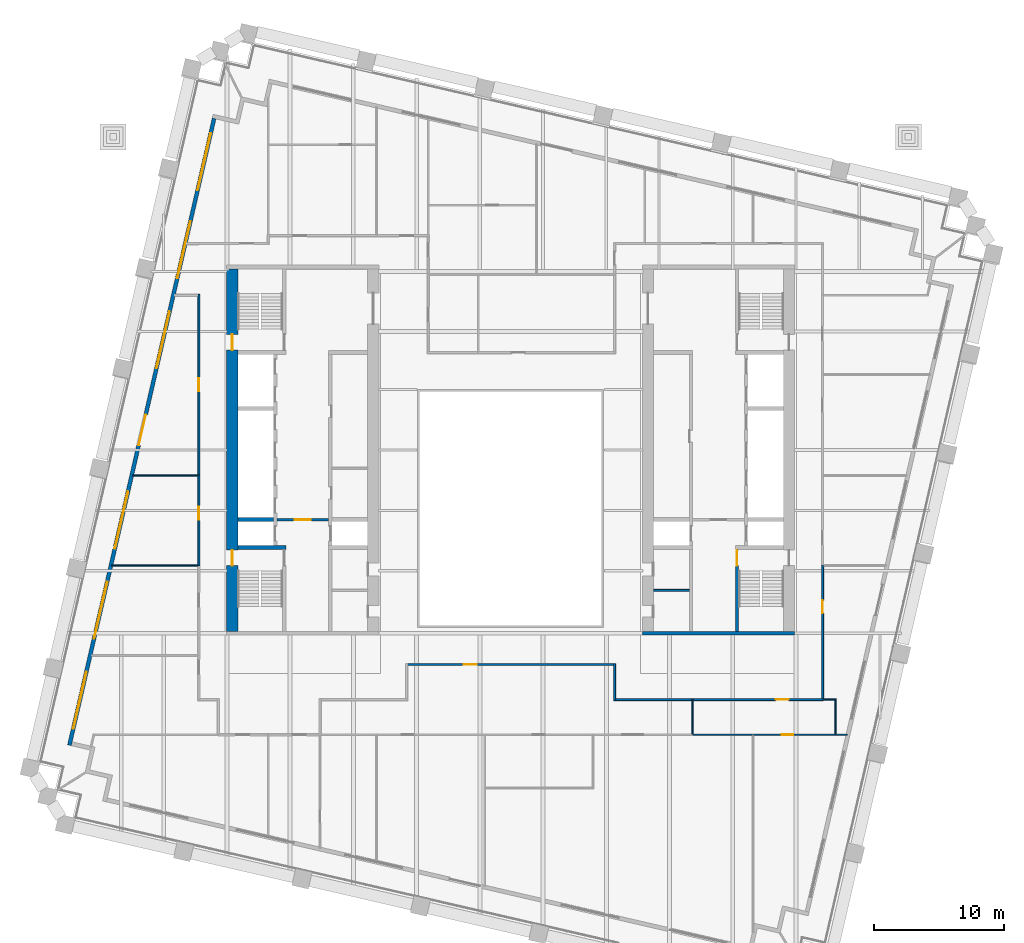
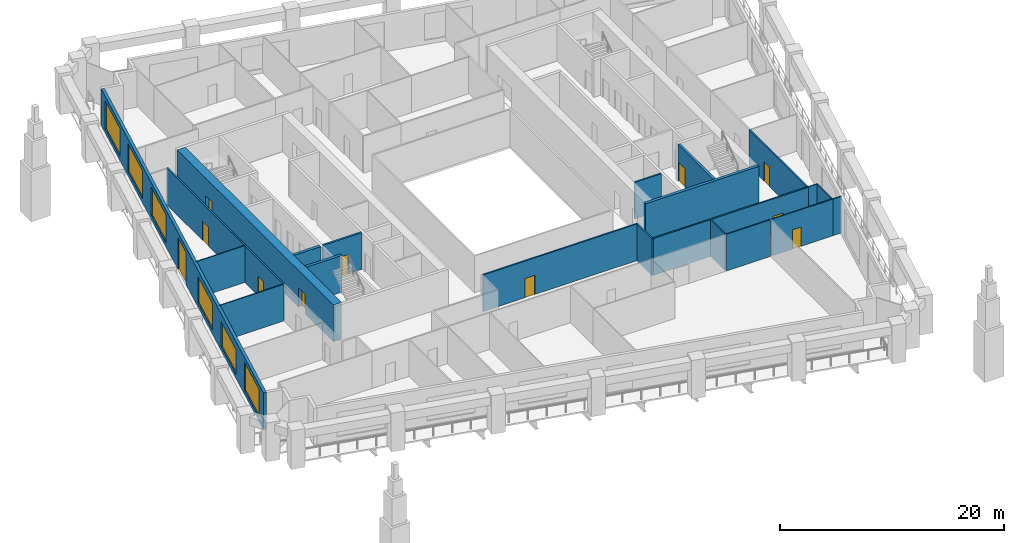
# One storey, part 5 of 10: 23 walls, 11 doors, 6 windows, 17 openings.
"""IFC4 building model written with IfcOpenShell, lengths in metres."""

from ifc_helpers import new_model, si_unit, direction, frame, frame_2d, origin, place, context, subcontext, project, spatial, rectangle, extrude, material, layer, layer_set, type_object, element, fill, save


model = new_model("IFC4")

# Units and contexts
model_context = context("Model", 3, precision=1e-05, world=origin(), true_north=direction((0.0, 1.0)))
body_context = subcontext(model_context, "Body", "Model", "MODEL_VIEW")
ifc_project = project(units=[si_unit("LENGTHUNIT", "METRE"), si_unit("AREAUNIT", "SQUARE_METRE"), si_unit("VOLUMEUNIT", "CUBIC_METRE"), si_unit("PLANEANGLEUNIT", "RADIAN"), si_unit("MASSUNIT", "GRAM", prefix="KILO")], contexts=[model_context])

# Site, building, storey
site_placement = place(None, origin())
site = spatial("IfcSite", under=ifc_project, at=site_placement, CompositionType="ELEMENT")
building_placement = place(site_placement, origin())
building = spatial("IfcBuilding", under=site, at=building_placement, Name="Ogive Exchange Tower", CompositionType="ELEMENT")
storey_placement = place(building_placement, frame((0.0, 0.0, 105.60009765625)))
storey = spatial("IfcBuildingStorey", under=building, at=storey_placement, Name="L22", CompositionType="ELEMENT", Elevation=105.60009765625)

# Wall
ifc_material_1 = material(Name="Gypsum board partition")
ifc_layer_1 = layer(ifc_material_1, 0.14990234375)
ifc_layer_set_1 = layer_set([ifc_layer_1], Name="Core room partition 150 gypsum")
wall_type_1 = type_object("IfcWallType", Name="Core room partition 150 gypsum", PredefinedType="PARTITIONING", material=ifc_layer_set_1)
wall_1_placement = place(storey_placement, frame((11.0, 0.699951171875, 0.0), z_axis=(0.0, 0.0, 1.0), x_axis=(1.0, 0.0, 0.0)))
element("IfcWall", 1, at=wall_1_placement, inside=storey, type_object=wall_type_1, Name="E south room partition", PredefinedType="PARTITIONING", context=body_context, shape_type="SweptSolid", body=[
    extrude(rectangle(XDim=2.75, YDim=0.14990234375, at=frame_2d((1.375, 0.0))), origin(), (0.0, 0.0, 1.0), 4.0),
])

# Wall, opening, door
ifc_material_2 = material(Name="Fire partition EI 60 150")
ifc_layer_2 = layer(ifc_material_2, 0.14990234375)
ifc_layer_set_2 = layer_set([ifc_layer_2], Name="Fire partition EI 60 150")
wall_type_2 = type_object("IfcWallType", Name="Fire partition EI 60 150", PredefinedType="PARTITIONING", material=ifc_layer_set_2)
wall_2_placement = place(storey_placement, frame((-24.0, 2.610107421875, 0.0), z_axis=(0.0, 0.0, 1.0), x_axis=(0.0, 1.0, 0.0)))
wall_2 = element("IfcWall", 2, at=wall_2_placement, inside=storey, type_object=wall_type_2, Name="L22-PWL-007", PredefinedType="PARTITIONING", context=body_context, shape_type="SweptSolid", body=[
    extrude(rectangle(XDim=6.989990234375, YDim=0.14990234375, at=frame_2d((3.4951171875, 0.0))), origin(), (0.0, 0.0, 1.0), 4.0),
])
opening_1_placement = place(wall_2_placement, frame((3.5400390625, 0.0, 0.0)))
opening_1 = element("IfcOpeningElement", 3, at=opening_1_placement, cuts=wall_2, Name="Opening L22-I19", PredefinedType="OPENING", context=body_context, shape_type="SweptSolid", body=[
    extrude(rectangle(XDim=1.0, YDim=2.10009765625, at=frame_2d((0.5, 1.050048828125))), frame((0.0, 0.0849609375, 0.0), z_axis=(0.0, -1.0, 0.0), x_axis=(1.0, 0.0, 0.0)), (0.0, 0.0, 1.0), 0.169921875),
])
ifc_material_3 = material(Name="Fire door FD 30S 1000 x 2100")
door_type_1 = type_object("IfcDoorType", Name="Fire door FD 30S 1000 x 2100", OperationType="NOTDEFINED", PredefinedType="DOOR", material=ifc_material_3)
door_1_placement = place(opening_1_placement, origin())
door_1 = element("IfcDoor", 4, at=door_1_placement, inside=storey, type_object=door_type_1, Name="L22-IDR-019", ObjectType="DT3", OperationType="SINGLE_SWING_LEFT", OverallHeight=2.10009765625, OverallWidth=1.0, PredefinedType="DOOR", context=body_context, shape_type="SweptSolid", body=[
    extrude(rectangle(XDim=1.0, YDim=2.10009765625, at=frame_2d((0.5, 1.050048828125))), frame((0.0, 0.02490234375, 0.0), z_axis=(0.0, -1.0, 0.0), x_axis=(1.0, 0.0, 0.0)), (0.0, 0.0, 1.0), 0.050048828125),
])
fill(opening_1, door_1)

wall_3_placement = place(storey_placement, frame((-24.0, 9.550048828125, 0.0), z_axis=(0.0, 0.0, 1.0), x_axis=(0.0, 1.0, 0.0)))
wall_3 = element("IfcWall", 5, at=wall_3_placement, inside=storey, type_object=wall_type_2, Name="L22-PWL-009", PredefinedType="PARTITIONING", context=body_context, shape_type="SweptSolid", body=[
    extrude(rectangle(XDim=13.93505859375, YDim=0.14990234375, at=frame_2d((6.967529296875, 0.0))), origin(), (0.0, 0.0, 1.0), 4.0),
])
opening_2_placement = place(wall_3_placement, frame((6.4599609375, 0.0, 0.0)))
opening_2 = element("IfcOpeningElement", 6, at=opening_2_placement, cuts=wall_3, Name="Opening L22-I10", PredefinedType="OPENING", context=body_context, shape_type="SweptSolid", body=[
    extrude(rectangle(XDim=1.0, YDim=2.10009765625, at=frame_2d((0.5, 1.050048828125))), frame((0.0, 0.0849609375, 0.0), z_axis=(0.0, -1.0, 0.0), x_axis=(1.0, 0.0, 0.0)), (0.0, 0.0, 1.0), 0.169921875),
])
door_2_placement = place(opening_2_placement, origin())
door_2 = element("IfcDoor", 7, at=door_2_placement, inside=storey, type_object=door_type_1, Name="L22-IDR-010", ObjectType="DT3", OperationType="SINGLE_SWING_LEFT", OverallHeight=2.10009765625, OverallWidth=1.0, PredefinedType="DOOR", context=body_context, shape_type="SweptSolid", body=[
    extrude(rectangle(XDim=1.0, YDim=2.10009765625, at=frame_2d((0.5, 1.050048828125))), frame((0.0, 0.02490234375, 0.0), z_axis=(0.0, -1.0, 0.0), x_axis=(1.0, 0.0, 0.0)), (0.0, 0.0, 1.0), 0.050048828125),
])
fill(opening_2, door_2)

# Wall
wall_4_placement = place(storey_placement, frame((8.0, -7.77490234375, 0.0), z_axis=(0.0, 0.0, 1.0), x_axis=(0.0, 1.0, 0.0)))
element("IfcWall", 8, at=wall_4_placement, inside=storey, type_object=wall_type_2, Name="L22-PWL-051", PredefinedType="PARTITIONING", context=body_context, shape_type="SweptSolid", body=[
    extrude(rectangle(XDim=2.849853515625, YDim=0.14990234375, at=frame_2d((1.4248046875, 0.0))), origin(), (0.0, 0.0, 1.0), 4.0),
])

# Wall, opening, door
wall_5_placement = place(storey_placement, frame((7.925048828125, -5.0, 0.0), z_axis=(0.0, 0.0, 1.0), x_axis=(-1.0, 0.0, 0.0)))
wall_5 = element("IfcWall", 9, at=wall_5_placement, inside=storey, type_object=wall_type_2, Name="L22-PWL-052", PredefinedType="PARTITIONING", context=body_context, shape_type="SweptSolid", body=[
    extrude(rectangle(XDim=15.85009765625, YDim=0.14990234375, at=frame_2d((7.925048828125, 0.0))), origin(), (0.0, 0.0, 1.0), 4.0),
])
opening_3_placement = place(wall_5_placement, frame((10.52490234375, 0.0, 0.0)))
opening_3 = element("IfcOpeningElement", 10, at=opening_3_placement, cuts=wall_5, Name="Opening L22-I18", PredefinedType="OPENING", context=body_context, shape_type="SweptSolid", body=[
    extrude(rectangle(XDim=1.0, YDim=2.10009765625, at=frame_2d((0.5, 1.050048828125))), frame((0.0, 0.0849609375, 0.0), z_axis=(0.0, -1.0, 0.0), x_axis=(1.0, 0.0, 0.0)), (0.0, 0.0, 1.0), 0.169921875),
])
door_3_placement = place(opening_3_placement, origin())
door_3 = element("IfcDoor", 11, at=door_3_placement, inside=storey, type_object=door_type_1, Name="L22-IDR-018", ObjectType="DT3", OperationType="SINGLE_SWING_LEFT", OverallHeight=2.10009765625, OverallWidth=1.0, PredefinedType="DOOR", context=body_context, shape_type="SweptSolid", body=[
    extrude(rectangle(XDim=1.0, YDim=2.10009765625, at=frame_2d((0.5, 1.050048828125))), frame((0.0, 0.02490234375, 0.0), z_axis=(0.0, -1.0, 0.0), x_axis=(1.0, 0.0, 0.0)), (0.0, 0.0, 1.0), 0.050048828125),
])
fill(opening_3, door_3)

# Wall
wall_6_placement = place(storey_placement, frame((13.949951171875, -7.699951171875, 0.0), z_axis=(0.0, 0.0, 1.0), x_axis=(-1.0, 0.0, 0.0)))
element("IfcWall", 12, at=wall_6_placement, inside=storey, type_object=wall_type_2, Name="L22-PWL-060", PredefinedType="PARTITIONING", context=body_context, shape_type="SweptSolid", body=[
    extrude(rectangle(XDim=5.875, YDim=0.14990234375, at=frame_2d((2.9375, 0.0))), origin(), (0.0, 0.0, 1.0), 4.0),
])

# Wall, opening, door
wall_7_placement = place(storey_placement, frame((24.074951171875, -7.699951171875, 0.0), z_axis=(0.0, 0.0, 1.0), x_axis=(-1.0, 0.0, 0.0)))
wall_7 = element("IfcWall", 13, at=wall_7_placement, inside=storey, type_object=wall_type_2, Name="L22-PWL-065", PredefinedType="PARTITIONING", context=body_context, shape_type="SweptSolid", body=[
    extrude(rectangle(XDim=10.02490234375, YDim=0.14990234375, at=frame_2d((5.012451171875, 0.0))), origin(), (0.0, 0.0, 1.0), 4.0),
])
opening_4_placement = place(wall_7_placement, frame((2.675048828125, 0.0, 0.0)))
opening_4 = element("IfcOpeningElement", 14, at=opening_4_placement, cuts=wall_7, Name="Opening L22-I17", PredefinedType="OPENING", context=body_context, shape_type="SweptSolid", body=[
    extrude(rectangle(XDim=1.0, YDim=2.10009765625, at=frame_2d((0.5, 1.050048828125))), frame((0.0, 0.0849609375, 0.0), z_axis=(0.0, -1.0, 0.0), x_axis=(1.0, 0.0, 0.0)), (0.0, 0.0, 1.0), 0.169921875),
])
door_4_placement = place(opening_4_placement, origin())
door_4 = element("IfcDoor", 15, at=door_4_placement, inside=storey, type_object=door_type_1, Name="L22-IDR-017", ObjectType="DT3", OperationType="SINGLE_SWING_RIGHT", OverallHeight=2.10009765625, OverallWidth=1.0, PredefinedType="DOOR", context=body_context, shape_type="SweptSolid", body=[
    extrude(rectangle(XDim=1.0, YDim=2.10009765625, at=frame_2d((0.5, 1.050048828125))), frame((0.0, 0.02490234375, 0.0), z_axis=(0.0, -1.0, 0.0), x_axis=(1.0, 0.0, 0.0)), (0.0, 0.0, 1.0), 0.050048828125),
])
fill(opening_4, door_4)

wall_8_placement = place(storey_placement, frame((24.010009765625, 2.659912109375, 0.0), z_axis=(0.0, 0.0, 1.0), x_axis=(0.0, -1.0, 0.0)))
wall_8 = element("IfcWall", 16, at=wall_8_placement, inside=storey, type_object=wall_type_2, Name="L22-PWL-072", PredefinedType="PARTITIONING", context=body_context, shape_type="SweptSolid", body=[
    extrude(rectangle(XDim=10.27490234375, YDim=0.14990234375, at=frame_2d((5.137451171875, 0.0))), origin(), (0.0, 0.0, 1.0), 4.0),
])
opening_5_placement = place(wall_8_placement, frame((2.699951171875, 0.0, 0.0)))
opening_5 = element("IfcOpeningElement", 17, at=opening_5_placement, cuts=wall_8, Name="Opening L22-I16", PredefinedType="OPENING", context=body_context, shape_type="SweptSolid", body=[
    extrude(rectangle(XDim=1.0, YDim=2.10009765625, at=frame_2d((0.5, 1.050048828125))), frame((0.0, 0.0849609375, 0.0), z_axis=(0.0, -1.0, 0.0), x_axis=(1.0, 0.0, 0.0)), (0.0, 0.0, 1.0), 0.169921875),
])
door_5_placement = place(opening_5_placement, origin())
door_5 = element("IfcDoor", 18, at=door_5_placement, inside=storey, type_object=door_type_1, Name="L22-IDR-016", ObjectType="DT3", OperationType="SINGLE_SWING_RIGHT", OverallHeight=2.10009765625, OverallWidth=1.0, PredefinedType="DOOR", context=body_context, shape_type="SweptSolid", body=[
    extrude(rectangle(XDim=1.0, YDim=2.10009765625, at=frame_2d((0.5, 1.050048828125))), frame((0.0, 0.02490234375, 0.0), z_axis=(0.0, -1.0, 0.0), x_axis=(1.0, 0.0, 0.0)), (0.0, 0.0, 1.0), 0.050048828125),
])
fill(opening_5, door_5)

# Wall, openings, door, windows
ifc_material_4 = material(Name="Precast concrete C40/50", Category="concrete")
ifc_layer_3 = layer(ifc_material_4, 0.300048828125)
ifc_layer_set_3 = layer_set([ifc_layer_3], Name="Limestone-faced wall 300")
wall_type_3 = type_object("IfcWallType", Name="Limestone-faced wall 300", PredefinedType="STANDARD", material=ifc_layer_set_3)
wall_9_placement = place(storey_placement, frame((-22.8203125, 37.015625, 0.0), z_axis=(0.0, 0.0, 1.0), x_axis=(-0.224953880882, -0.974369412223, 0.0)))
wall_9 = element("IfcWall", 19, at=wall_9_placement, inside=storey, type_object=wall_type_3, Name="External wall W4", PredefinedType="STANDARD", context=body_context, shape_type="SweptSolid", body=[
    extrude(rectangle(XDim=49.500244140625, YDim=0.300048828125, at=frame_2d((24.75, 0.0))), origin(), (0.0, 0.0, 1.0), 4.0),
])
opening_6_placement = place(wall_9_placement, frame((1.156982421875, 0.0, 0.449951171875)))
opening_6 = element("IfcOpeningElement", 20, at=opening_6_placement, cuts=wall_9, Name="Opening W1", PredefinedType="OPENING", context=body_context, shape_type="SweptSolid", body=[
    extrude(rectangle(XDim=4.5, YDim=3.050048828125, at=frame_2d((2.25, 1.52490234375))), frame((0.0, 0.159912109375, 0.0), z_axis=(0.0, -1.0, 0.0), x_axis=(1.0, 0.0, 0.0)), (0.0, 0.0, 1.0), 0.320068359375),
])
opening_7_placement = place(wall_9_placement, frame((8.121337890625, 0.0, 0.449951171875)))
opening_7 = element("IfcOpeningElement", 21, at=opening_7_placement, cuts=wall_9, Name="Opening W1", PredefinedType="OPENING", context=body_context, shape_type="SweptSolid", body=[
    extrude(rectangle(XDim=4.5, YDim=3.050048828125, at=frame_2d((2.25, 1.52490234375))), frame((0.0, 0.159912109375, 0.0), z_axis=(0.0, -1.0, 0.0), x_axis=(1.0, 0.0, 0.0)), (0.0, 0.0, 1.0), 0.320068359375),
])
opening_8_placement = place(wall_9_placement, frame((15.235595703125, 0.0, 0.449951171875)))
opening_8 = element("IfcOpeningElement", 22, at=opening_8_placement, cuts=wall_9, Name="Opening W1", PredefinedType="OPENING", context=body_context, shape_type="SweptSolid", body=[
    extrude(rectangle(XDim=4.5, YDim=3.050048828125, at=frame_2d((2.25, 1.52490234375))), frame((0.0, 0.159912109375, 0.0), z_axis=(0.0, -1.0, 0.0), x_axis=(1.0, 0.0, 0.0)), (0.0, 0.0, 1.0), 0.320068359375),
])
opening_9_placement = place(wall_9_placement, frame((23.39990234375, 0.0, 0.0)))
opening_9 = element("IfcOpeningElement", 23, at=opening_9_placement, cuts=wall_9, Name="Opening D1", PredefinedType="OPENING", context=body_context, shape_type="SweptSolid", body=[
    extrude(rectangle(XDim=2.39990234375, YDim=3.5, at=frame_2d((1.199951171875, 1.75))), frame((0.0, 0.159912109375, 0.0), z_axis=(0.0, -1.0, 0.0), x_axis=(1.0, 0.0, 0.0)), (0.0, 0.0, 1.0), 0.320068359375),
])
opening_10_placement = place(wall_9_placement, frame((29.464111328125, 0.0, 0.449951171875)))
opening_10 = element("IfcOpeningElement", 24, at=opening_10_placement, cuts=wall_9, Name="Opening W1D", PredefinedType="OPENING", context=body_context, shape_type="SweptSolid", body=[
    extrude(rectangle(XDim=4.5, YDim=2.875, at=frame_2d((2.25, 1.4375))), frame((0.0, 0.159912109375, 0.0), z_axis=(0.0, -1.0, 0.0), x_axis=(1.0, 0.0, 0.0)), (0.0, 0.0, 1.0), 0.320068359375),
])
opening_11_placement = place(wall_9_placement, frame((36.57861328125, 0.0, 0.449951171875)))
opening_11 = element("IfcOpeningElement", 25, at=opening_11_placement, cuts=wall_9, Name="Opening W1J", PredefinedType="OPENING", context=body_context, shape_type="SweptSolid", body=[
    extrude(rectangle(XDim=4.5, YDim=2.675048828125, at=frame_2d((2.25, 1.33740234375))), frame((0.0, 0.159912109375, 0.0), z_axis=(0.0, -1.0, 0.0), x_axis=(1.0, 0.0, 0.0)), (0.0, 0.0, 1.0), 0.320068359375),
])
opening_12_placement = place(wall_9_placement, frame((43.69287109375, 0.0, 0.449951171875)))
opening_12 = element("IfcOpeningElement", 26, at=opening_12_placement, cuts=wall_9, Name="Opening W1", PredefinedType="OPENING", context=body_context, shape_type="SweptSolid", body=[
    extrude(rectangle(XDim=4.5, YDim=3.050048828125, at=frame_2d((2.25, 1.52490234375))), frame((0.0, 0.159912109375, 0.0), z_axis=(0.0, -1.0, 0.0), x_axis=(1.0, 0.0, 0.0)), (0.0, 0.0, 1.0), 0.320068359375),
])
ifc_material_5 = material(Name="Clear glass in bronze frame", Category="glass")
door_type_2 = type_object("IfcDoorType", Name="Sliding loggia door 2400 x 3500", OperationType="DOUBLE_DOOR_SLIDING", PredefinedType="DOOR", material=ifc_material_5)
door_6_placement = place(opening_9_placement, origin())
door_6 = element("IfcDoor", 27, at=door_6_placement, inside=storey, type_object=door_type_2, Name="Loggia door W03", OperationType="DOUBLE_DOOR_SLIDING", OverallHeight=3.5, OverallWidth=2.39990234375, PredefinedType="DOOR", context=body_context, shape_type="SweptSolid", body=[
    extrude(rectangle(XDim=2.39990234375, YDim=3.5, at=frame_2d((1.199951171875, 1.75))), frame((0.0, 0.02490234375, 0.0), z_axis=(0.0, -1.0, 0.0), x_axis=(1.0, 0.0, 0.0)), (0.0, 0.0, 1.0), 0.050048828125),
])
fill(opening_9, door_6)
window_type_1 = type_object("IfcWindowType", Name="Twin lancet window 4500 x 2675", PartitioningType="DOUBLE_PANEL_VERTICAL", PredefinedType="WINDOW", material=ifc_material_5)
window_1_placement = place(opening_11_placement, origin())
window_1 = element("IfcWindow", 28, at=window_1_placement, inside=storey, type_object=window_type_1, Name="Window W05", OverallHeight=2.675048828125, OverallWidth=4.5, PartitioningType="DOUBLE_PANEL_VERTICAL", PredefinedType="WINDOW", context=body_context, shape_type="SweptSolid", body=[
    extrude(rectangle(XDim=4.5, YDim=2.675048828125, at=frame_2d((2.25, 1.33740234375))), frame((0.0, 0.030029296875, 0.0), z_axis=(0.0, -1.0, 0.0), x_axis=(1.0, 0.0, 0.0)), (0.0, 0.0, 1.0), 0.06005859375),
])
fill(opening_11, window_1)
window_type_2 = type_object("IfcWindowType", Name="Twin lancet window 4500 x 2875", PartitioningType="DOUBLE_PANEL_VERTICAL", PredefinedType="WINDOW", material=ifc_material_5)
window_2_placement = place(opening_10_placement, origin())
window_2 = element("IfcWindow", 29, at=window_2_placement, inside=storey, type_object=window_type_2, Name="Window W04", OverallHeight=2.875, OverallWidth=4.5, PartitioningType="DOUBLE_PANEL_VERTICAL", PredefinedType="WINDOW", context=body_context, shape_type="SweptSolid", body=[
    extrude(rectangle(XDim=4.5, YDim=2.875, at=frame_2d((2.25, 1.4375))), frame((0.0, 0.030029296875, 0.0), z_axis=(0.0, -1.0, 0.0), x_axis=(1.0, 0.0, 0.0)), (0.0, 0.0, 1.0), 0.06005859375),
])
fill(opening_10, window_2)
window_type_3 = type_object("IfcWindowType", Name="Twin lancet window 4500 x 3050", PartitioningType="DOUBLE_PANEL_VERTICAL", PredefinedType="WINDOW", material=ifc_material_5)
window_3_placement = place(opening_6_placement, origin())
window_3 = element("IfcWindow", 30, at=window_3_placement, inside=storey, type_object=window_type_3, Name="Window W00", OverallHeight=3.050048828125, OverallWidth=4.5, PartitioningType="DOUBLE_PANEL_VERTICAL", PredefinedType="WINDOW", context=body_context, shape_type="SweptSolid", body=[
    extrude(rectangle(XDim=4.5, YDim=3.050048828125, at=frame_2d((2.25, 1.52490234375))), frame((0.0, 0.030029296875, 0.0), z_axis=(0.0, -1.0, 0.0), x_axis=(1.0, 0.0, 0.0)), (0.0, 0.0, 1.0), 0.06005859375),
])
fill(opening_6, window_3)
window_4_placement = place(opening_7_placement, origin())
window_4 = element("IfcWindow", 31, at=window_4_placement, inside=storey, type_object=window_type_3, Name="Window W01", OverallHeight=3.050048828125, OverallWidth=4.5, PartitioningType="DOUBLE_PANEL_VERTICAL", PredefinedType="WINDOW", context=body_context, shape_type="SweptSolid", body=[
    extrude(rectangle(XDim=4.5, YDim=3.050048828125, at=frame_2d((2.25, 1.52490234375))), frame((0.0, 0.030029296875, 0.0), z_axis=(0.0, -1.0, 0.0), x_axis=(1.0, 0.0, 0.0)), (0.0, 0.0, 1.0), 0.06005859375),
])
fill(opening_7, window_4)
window_5_placement = place(opening_8_placement, origin())
window_5 = element("IfcWindow", 32, at=window_5_placement, inside=storey, type_object=window_type_3, Name="Window W02", OverallHeight=3.050048828125, OverallWidth=4.5, PartitioningType="DOUBLE_PANEL_VERTICAL", PredefinedType="WINDOW", context=body_context, shape_type="SweptSolid", body=[
    extrude(rectangle(XDim=4.5, YDim=3.050048828125, at=frame_2d((2.25, 1.52490234375))), frame((0.0, 0.030029296875, 0.0), z_axis=(0.0, -1.0, 0.0), x_axis=(1.0, 0.0, 0.0)), (0.0, 0.0, 1.0), 0.06005859375),
])
fill(opening_8, window_5)
window_6_placement = place(opening_12_placement, origin())
window_6 = element("IfcWindow", 33, at=window_6_placement, inside=storey, type_object=window_type_3, Name="Window W06", OverallHeight=3.050048828125, OverallWidth=4.5, PartitioningType="DOUBLE_PANEL_VERTICAL", PredefinedType="WINDOW", context=body_context, shape_type="SweptSolid", body=[
    extrude(rectangle(XDim=4.5, YDim=3.050048828125, at=frame_2d((2.25, 1.52490234375))), frame((0.0, 0.030029296875, 0.0), z_axis=(0.0, -1.0, 0.0), x_axis=(1.0, 0.0, 0.0)), (0.0, 0.0, 1.0), 0.06005859375),
])
fill(opening_12, window_6)

# Walls
ifc_material_6 = material(Name="Partition 100 gypsum")
ifc_layer_4 = layer(ifc_material_6, 0.10009765625)
ifc_layer_set_4 = layer_set([ifc_layer_4], Name="Partition 100 gypsum")
wall_type_4 = type_object("IfcWallType", Name="Partition 100 gypsum", PredefinedType="PARTITIONING", material=ifc_layer_set_4)
wall_10_placement = place(storey_placement, frame((-24.074951171875, 2.610107421875, 0.0), z_axis=(0.0, 0.0, 1.0), x_axis=(-1.0, 0.0, 0.0)))
element("IfcWall", 34, at=wall_10_placement, inside=storey, type_object=wall_type_4, Name="L22-PWL-006", PredefinedType="PARTITIONING", context=body_context, shape_type="SweptSolid", body=[
    extrude(rectangle(XDim=6.616943359375, YDim=0.10009765625, at=frame_2d((3.30859375, 0.0))), origin(), (0.0, 0.0, 1.0), 4.0),
])
wall_11_placement = place(storey_placement, frame((-24.074951171875, 9.550048828125, 0.0), z_axis=(0.0, 0.0, 1.0), x_axis=(-1.0, 0.0, 0.0)))
element("IfcWall", 35, at=wall_11_placement, inside=storey, type_object=wall_type_4, Name="L22-PWL-008", PredefinedType="PARTITIONING", context=body_context, shape_type="SweptSolid", body=[
    extrude(rectangle(XDim=5.01513671875, YDim=0.10009765625, at=frame_2d((2.507568359375, 0.0))), origin(), (0.0, 0.0, 1.0), 4.0),
])
wall_12_placement = place(storey_placement, frame((14.0, -10.360107421875, 0.0), z_axis=(0.0, 0.0, 1.0), x_axis=(0.0, 1.0, 0.0)))
element("IfcWall", 36, at=wall_12_placement, inside=storey, type_object=wall_type_4, Name="L22-PWL-059", PredefinedType="PARTITIONING", context=body_context, shape_type="SweptSolid", body=[
    extrude(rectangle(XDim=2.735107421875, YDim=0.10009765625, at=frame_2d((1.36767578125, 0.0))), origin(), (0.0, 0.0, 1.0), 4.0),
])
wall_13_placement = place(storey_placement, frame((18.60009765625, -10.409912109375, 0.0), z_axis=(0.0, 0.0, 1.0), x_axis=(-1.0, 0.0, 0.0)))
element("IfcWall", 37, at=wall_13_placement, inside=storey, type_object=wall_type_4, Name="L22-PWL-062", PredefinedType="PARTITIONING", context=body_context, shape_type="SweptSolid", body=[
    extrude(rectangle(XDim=4.550048828125, YDim=0.10009765625, at=frame_2d((2.27490234375, 0.0))), origin(), (0.0, 0.0, 1.0), 4.0),
])

# Wall, opening, door
wall_14_placement = place(storey_placement, frame((25.050048828125, -10.409912109375, 0.0), z_axis=(0.0, 0.0, 1.0), x_axis=(-1.0, 0.0, 0.0)))
wall_14 = element("IfcWall", 38, at=wall_14_placement, inside=storey, type_object=wall_type_4, Name="L22-PWL-073", PredefinedType="PARTITIONING", context=body_context, shape_type="SweptSolid", body=[
    extrude(rectangle(XDim=6.35009765625, YDim=0.10009765625, at=frame_2d((3.175048828125, 0.0))), origin(), (0.0, 0.0, 1.0), 4.0),
])
opening_13_placement = place(wall_14_placement, frame((3.300048828125, 0.0, 0.0)))
opening_13 = element("IfcOpeningElement", 39, at=opening_13_placement, cuts=wall_14, Name="Opening L22-I22", PredefinedType="OPENING", context=body_context, shape_type="SweptSolid", body=[
    extrude(rectangle(XDim=0.89990234375, YDim=2.10009765625, at=frame_2d((0.449951171875, 1.050048828125))), frame((0.0, 0.06005859375, 0.0), z_axis=(0.0, -1.0, 0.0), x_axis=(1.0, 0.0, 0.0)), (0.0, 0.0, 1.0), 0.1201171875),
])
ifc_material_7 = material(Name="Door 900 x 2100")
door_type_3 = type_object("IfcDoorType", Name="Door 900 x 2100", OperationType="NOTDEFINED", PredefinedType="DOOR", material=ifc_material_7)
door_7_placement = place(opening_13_placement, frame((0.89990234375, 0.0, 0.0), z_axis=(0.0, 0.0, 1.0), x_axis=(-1.0, 0.0, 0.0)))
door_7 = element("IfcDoor", 40, at=door_7_placement, inside=storey, type_object=door_type_3, Name="L22-IDR-022", ObjectType="DT1", OperationType="SINGLE_SWING_LEFT", OverallHeight=2.10009765625, OverallWidth=0.89990234375, PredefinedType="DOOR", context=body_context, shape_type="SweptSolid", body=[
    extrude(rectangle(XDim=0.89990234375, YDim=2.10009765625, at=frame_2d((0.449951171875, 1.050048828125))), frame((0.0, 0.02490234375, 0.0), z_axis=(0.0, -1.0, 0.0), x_axis=(1.0, 0.0, 0.0)), (0.0, 0.0, 1.0), 0.050048828125),
])
fill(opening_13, door_7)

# Walls
wall_15_placement = place(storey_placement, frame((25.0, -10.360107421875, 0.0), z_axis=(0.0, 0.0, 1.0), x_axis=(0.0, 1.0, 0.0)))
element("IfcWall", 41, at=wall_15_placement, inside=storey, type_object=wall_type_4, Name="L22-PWL-074", PredefinedType="PARTITIONING", context=body_context, shape_type="SweptSolid", body=[
    extrude(rectangle(XDim=2.72021484375, YDim=0.10009765625, at=frame_2d((1.360107421875, 0.0))), origin(), (0.0, 0.0, 1.0), 4.0),
])
wall_16_placement = place(storey_placement, frame((24.949951171875, -7.68994140625, 0.0), z_axis=(0.0, 0.0, 1.0), x_axis=(-1.0, 0.0, 0.0)))
element("IfcWall", 42, at=wall_16_placement, inside=storey, type_object=wall_type_4, Name="L22-PWL-075", PredefinedType="PARTITIONING", context=body_context, shape_type="SweptSolid", body=[
    extrude(rectangle(XDim=0.875, YDim=0.10009765625, at=frame_2d((0.4375, 0.0))), origin(), (0.0, 0.0, 1.0), 4.0),
])
wall_17_placement = place(storey_placement, frame((25.889892578125, -10.409912109375, 0.0), z_axis=(0.0, 0.0, 1.0), x_axis=(-1.0, 0.0, 0.0)))
element("IfcWall", 43, at=wall_17_placement, inside=storey, type_object=wall_type_4, Name="L22-PWL-076", PredefinedType="PARTITIONING", context=body_context, shape_type="SweptSolid", body=[
    extrude(rectangle(XDim=0.83984375, YDim=0.10009765625, at=frame_2d((0.419921875, 0.0))), origin(), (0.0, 0.0, 1.0), 4.0),
])

# Wall, opening, door
ifc_material_8 = material(Name="Concrete C70/85", Category="concrete")
ifc_layer_5 = layer(ifc_material_8, 0.199951171875)
ifc_layer_set_5 = layer_set([ifc_layer_5], Name="RC core wall 200 C70/85")
wall_type_5 = type_object("IfcWallType", Name="RC core wall 200 C70/85", PredefinedType="SHEAR", material=ifc_layer_set_5)
wall_18_placement = place(storey_placement, frame((-18.0, 6.142822265625, 0.0), z_axis=(0.0, 0.0, 1.0), x_axis=(1.0, 0.0, 0.0)))
wall_18 = element("IfcWall", 44, at=wall_18_placement, inside=storey, type_object=wall_type_5, Name="W firefighting lobby wall", PredefinedType="SHEAR", context=body_context, shape_type="SweptSolid", body=[
    extrude(rectangle(XDim=4.0, YDim=0.199951171875, at=frame_2d((2.0, 0.0))), origin(), (0.0, 0.0, 1.0), 4.0),
])
opening_14_placement = place(wall_18_placement, frame((1.39990234375, 0.0, 0.0)))
opening_14 = element("IfcOpeningElement", 45, at=opening_14_placement, cuts=wall_18, Name="Opening L22-C11", PredefinedType="OPENING", context=body_context, shape_type="SweptSolid", body=[
    extrude(rectangle(XDim=1.199951171875, YDim=2.10009765625, at=frame_2d((0.60009765625, 1.050048828125))), frame((0.0, 0.10986328125, 0.0), z_axis=(0.0, -1.0, 0.0), x_axis=(1.0, 0.0, 0.0)), (0.0, 0.0, 1.0), 0.219970703125),
])
ifc_material_9 = material(Name="Steel fire door", Category="steel")
door_type_4 = type_object("IfcDoorType", Name="Firefighting lobby door FD60 1200 x 2100", OperationType="NOTDEFINED", PredefinedType="DOOR", material=ifc_material_9)
door_8_placement = place(opening_14_placement, frame((1.199951171875, 0.0, 0.0), z_axis=(0.0, 0.0, 1.0), x_axis=(-1.0, 0.0, 0.0)))
door_8 = element("IfcDoor", 46, at=door_8_placement, inside=storey, type_object=door_type_4, Name="Firefighting lobby door", ObjectType="CD3", OperationType="SINGLE_SWING_RIGHT", OverallHeight=2.10009765625, OverallWidth=1.199951171875, PredefinedType="DOOR", context=body_context, shape_type="SweptSolid", body=[
    extrude(rectangle(XDim=1.199951171875, YDim=2.10009765625, at=frame_2d((0.60009765625, 1.050048828125))), frame((0.0, 0.02490234375, 0.0), z_axis=(0.0, -1.0, 0.0), x_axis=(1.0, 0.0, 0.0)), (0.0, 0.0, 1.0), 0.050048828125),
])
fill(opening_14, door_8)

ifc_layer_6 = layer(ifc_material_8, 0.25)
ifc_layer_set_6 = layer_set([ifc_layer_6], Name="RC core wall 250 C70/85")
wall_type_6 = type_object("IfcWallType", Name="RC core wall 250 C70/85", PredefinedType="SHEAR", material=ifc_layer_set_6)
wall_19_placement = place(storey_placement, frame((17.425048828125, -2.449951171875, 0.0), z_axis=(0.0, 0.0, 1.0), x_axis=(0.0, 1.0, 0.0)))
wall_19 = element("IfcWall", 47, at=wall_19_placement, inside=storey, type_object=wall_type_6, Name="E stair S front wall", PredefinedType="SHEAR", context=body_context, shape_type="SweptSolid", body=[
    extrude(rectangle(XDim=6.300048828125, YDim=0.25, at=frame_2d((3.14990234375, 0.0))), origin(), (0.0, 0.0, 1.0), 4.0),
])
opening_15_placement = place(wall_19_placement, frame((5.050048828125, 0.0, 0.0)))
opening_15 = element("IfcOpeningElement", 48, at=opening_15_placement, cuts=wall_19, Name="Opening L22-C30", PredefinedType="OPENING", context=body_context, shape_type="SweptSolid", body=[
    extrude(rectangle(XDim=1.199951171875, YDim=2.10009765625, at=frame_2d((0.60009765625, 1.050048828125))), frame((0.0, 0.135009765625, 0.0), z_axis=(0.0, -1.0, 0.0), x_axis=(1.0, 0.0, 0.0)), (0.0, 0.0, 1.0), 0.27001953125),
])
door_type_5 = type_object("IfcDoorType", Name="Stair door FD90 1200 x 2100", OperationType="NOTDEFINED", PredefinedType="DOOR", material=ifc_material_9)
door_9_placement = place(opening_15_placement, frame((1.199951171875, 0.0, 0.0), z_axis=(0.0, 0.0, 1.0), x_axis=(-1.0, 0.0, 0.0)))
door_9 = element("IfcDoor", 49, at=door_9_placement, inside=storey, type_object=door_type_5, Name="Stair door", ObjectType="CD5", OperationType="SINGLE_SWING_RIGHT", OverallHeight=2.10009765625, OverallWidth=1.199951171875, PredefinedType="DOOR", context=body_context, shape_type="SweptSolid", body=[
    extrude(rectangle(XDim=1.199951171875, YDim=2.10009765625, at=frame_2d((0.60009765625, 1.050048828125))), frame((0.0, 0.02490234375, 0.0), z_axis=(0.0, -1.0, 0.0), x_axis=(1.0, 0.0, 0.0)), (0.0, 0.0, 1.0), 0.050048828125),
])
fill(opening_15, door_9)

# Walls
ifc_layer_7 = layer(ifc_material_8, 0.300048828125)
ifc_layer_set_7 = layer_set([ifc_layer_7], Name="RC core wall 300 C70/85")
wall_type_7 = type_object("IfcWallType", Name="RC core wall 300 C70/85", PredefinedType="SHEAR", material=ifc_layer_set_7)
wall_20_placement = place(storey_placement, frame((-21.0, 4.0, 0.0), z_axis=(0.0, 0.0, 1.0), x_axis=(1.0, 0.0, 0.0)))
element("IfcWall", 50, at=wall_20_placement, inside=storey, type_object=wall_type_7, Name="W stair S north wall", PredefinedType="SHEAR", context=body_context, shape_type="SweptSolid", body=[
    extrude(rectangle(XDim=3.699951171875, YDim=0.300048828125, at=frame_2d((1.85009765625, 0.0))), origin(), (0.0, 0.0, 1.0), 4.0),
])
wall_21_placement = place(storey_placement, frame((-21.0, 6.142822265625, 0.0), z_axis=(0.0, 0.0, 1.0), x_axis=(1.0, 0.0, 0.0)))
element("IfcWall", 51, at=wall_21_placement, inside=storey, type_object=wall_type_7, Name="W row A divider 1", PredefinedType="SHEAR", context=body_context, shape_type="SweptSolid", body=[
    extrude(rectangle(XDim=2.75, YDim=0.300048828125, at=frame_2d((1.375, 0.0))), origin(), (0.0, 0.0, 1.0), 4.0),
])
wall_22_placement = place(storey_placement, frame((10.14990234375, -2.60009765625, 0.0), z_axis=(0.0, 0.0, 1.0), x_axis=(1.0, 0.0, 0.0)))
element("IfcWall", 52, at=wall_22_placement, inside=storey, type_object=wall_type_7, Name="E south end wall", PredefinedType="SHEAR", context=body_context, shape_type="SweptSolid", body=[
    extrude(rectangle(XDim=11.7001953125, YDim=0.300048828125, at=frame_2d((5.85009765625, 0.0))), origin(), (0.0, 0.0, 1.0), 4.0),
])

# Wall, openings, doors
ifc_layer_8 = layer(ifc_material_8, 0.85009765625)
ifc_layer_set_8 = layer_set([ifc_layer_8], Name="RC core wall 850 C70/85")
wall_type_8 = type_object("IfcWallType", Name="RC core wall 850 C70/85", PredefinedType="SHEAR", material=ifc_layer_set_8)
wall_23_placement = place(storey_placement, frame((-21.425048828125, -2.449951171875, 0.0), z_axis=(0.0, 0.0, 1.0), x_axis=(0.0, 1.0, 0.0)))
wall_23 = element("IfcWall", 53, at=wall_23_placement, inside=storey, type_object=wall_type_8, Name="W outer wall", PredefinedType="SHEAR", context=body_context, shape_type="SweptSolid", body=[
    extrude(rectangle(XDim=27.89990234375, YDim=0.85009765625, at=frame_2d((13.949951171875, 0.0))), origin(), (0.0, 0.0, 1.0), 4.0),
])
opening_16_placement = place(wall_23_placement, frame((5.050048828125, 0.0, 0.0)))
opening_16 = element("IfcOpeningElement", 54, at=opening_16_placement, cuts=wall_23, Name="Opening L22-C14", PredefinedType="OPENING", context=body_context, shape_type="SweptSolid", body=[
    extrude(rectangle(XDim=1.199951171875, YDim=2.10009765625, at=frame_2d((0.60009765625, 1.050048828125))), frame((0.0, 0.43505859375, 0.0), z_axis=(0.0, -1.0, 0.0), x_axis=(1.0, 0.0, 0.0)), (0.0, 0.0, 1.0), 0.8701171875),
])
opening_17_placement = place(wall_23_placement, frame((21.64990234375, 0.0, 0.0)))
opening_17 = element("IfcOpeningElement", 55, at=opening_17_placement, cuts=wall_23, Name="Opening L22-C16", PredefinedType="OPENING", context=body_context, shape_type="SweptSolid", body=[
    extrude(rectangle(XDim=1.199951171875, YDim=2.10009765625, at=frame_2d((0.60009765625, 1.050048828125))), frame((0.0, 0.43505859375, 0.0), z_axis=(0.0, -1.0, 0.0), x_axis=(1.0, 0.0, 0.0)), (0.0, 0.0, 1.0), 0.8701171875),
])
door_10_placement = place(opening_16_placement, frame((1.199951171875, 0.0, 0.0), z_axis=(0.0, 0.0, 1.0), x_axis=(-1.0, 0.0, 0.0)))
door_10 = element("IfcDoor", 56, at=door_10_placement, inside=storey, type_object=door_type_5, Name="Stair door", ObjectType="CD5", OperationType="SINGLE_SWING_RIGHT", OverallHeight=2.10009765625, OverallWidth=1.199951171875, PredefinedType="DOOR", context=body_context, shape_type="SweptSolid", body=[
    extrude(rectangle(XDim=1.199951171875, YDim=2.10009765625, at=frame_2d((0.60009765625, 1.050048828125))), frame((0.0, 0.02490234375, 0.0), z_axis=(0.0, -1.0, 0.0), x_axis=(1.0, 0.0, 0.0)), (0.0, 0.0, 1.0), 0.050048828125),
])
fill(opening_16, door_10)
door_11_placement = place(opening_17_placement, frame((1.199951171875, 0.0, 0.0), z_axis=(0.0, 0.0, 1.0), x_axis=(-1.0, 0.0, 0.0)))
door_11 = element("IfcDoor", 57, at=door_11_placement, inside=storey, type_object=door_type_5, Name="Stair door", ObjectType="CD5", OperationType="SINGLE_SWING_LEFT", OverallHeight=2.10009765625, OverallWidth=1.199951171875, PredefinedType="DOOR", context=body_context, shape_type="SweptSolid", body=[
    extrude(rectangle(XDim=1.199951171875, YDim=2.10009765625, at=frame_2d((0.60009765625, 1.050048828125))), frame((0.0, 0.02490234375, 0.0), z_axis=(0.0, -1.0, 0.0), x_axis=(1.0, 0.0, 0.0)), (0.0, 0.0, 1.0), 0.050048828125),
])
fill(opening_17, door_11)

save(model, "model.ifc")
